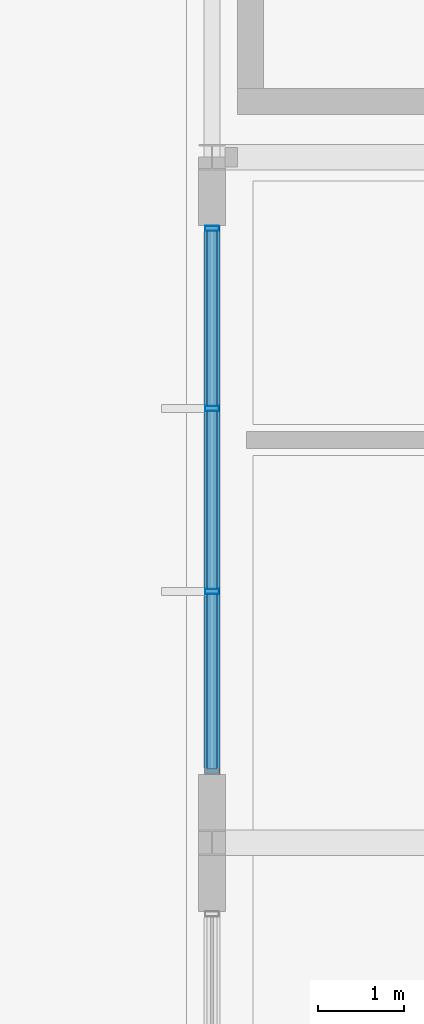
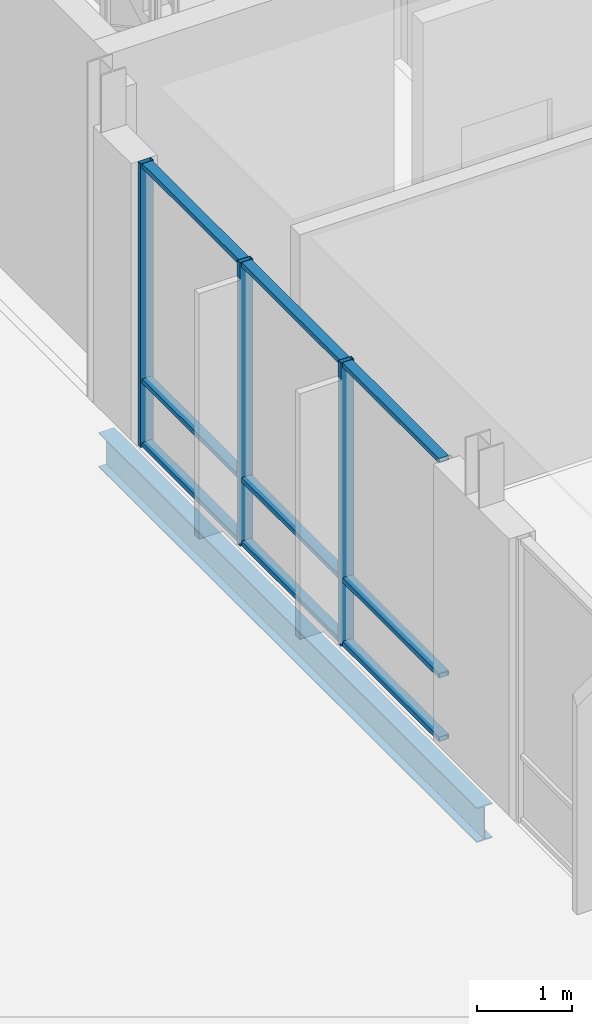
# One storey, part 160 of 233: 12 members, 1 beam, 1 element without a shape of its own.
"""IFC4 building model written with IfcOpenShell, lengths in metres."""

from ifc_helpers import new_model, si_unit, direction, frame, origin, origin_2d, place, context, subcontext, project, spatial, hollow_rectangle, i_section, extrude, material, material_profile, profile_set, type_object, element, aggregate, save


model = new_model("IFC4")

# Units and contexts
model_context = context("Model", 3, precision=1e-05, world=origin(), true_north=direction((0.0, 1.0)))
body_context = subcontext(model_context, "Body", "Model", "MODEL_VIEW")
ifc_project = project(units=[si_unit("LENGTHUNIT", "METRE"), si_unit("AREAUNIT", "SQUARE_METRE"), si_unit("VOLUMEUNIT", "CUBIC_METRE"), si_unit("PLANEANGLEUNIT", "RADIAN"), si_unit("MASSUNIT", "GRAM", prefix="KILO")], contexts=[model_context])

# Site, building, storey
site_placement = place(None, origin())
site = spatial("IfcSite", under=ifc_project, at=site_placement, CompositionType="ELEMENT")
building_placement = place(site_placement, origin())
building = spatial("IfcBuilding", under=site, at=building_placement, Name="Zavelmont Quarter", CompositionType="ELEMENT")
storey_placement = place(building_placement, origin())
storey = spatial("IfcBuildingStorey", under=building, at=storey_placement, Name="L00", CompositionType="ELEMENT", Elevation=0.0)

# Beam
ifc_material_1 = material(Name="Steel S355", Category="steel")
ifc_material_profile_1 = material_profile(ifc_material_1, i_section(OverallWidth=0.18994140625, OverallDepth=0.449951171875, WebThickness=0.009521484375, FlangeThickness=0.0146484375, at=origin_2d()), Name="IPE 450")
ifc_profile_set_1 = profile_set([ifc_material_profile_1], Name="Steel S355")
beam_type = type_object("IfcBeamType", Name="BM12", PredefinedType="BEAM", material=ifc_profile_set_1)
beam_placement = place(storey_placement, frame((133.5, 62.0, -0.544921875), z_axis=(0.0, 1.0, 0.0), x_axis=(-1.0, 0.0, 0.0)))
element("IfcBeam", 1, at=beam_placement, inside=storey, type_object=beam_type, Name="L00 beam BM12 20/K to 20/L", PredefinedType="BEAM", context=body_context, shape_type="SweptSolid", body=[
    extrude(i_section(OverallWidth=0.18994140625, OverallDepth=0.449951171875, WebThickness=0.009521484375, FlangeThickness=0.0146484375, at=origin_2d()), origin(), (0.0, 0.0, 1.0), 8.0),
])

# Curtain wall, members
ifc_material_2 = material(Name="Thermally broken aluminium and double low-E safety glazing", Category="aluminium")
curtain_wall_type = type_object("IfcCurtainWallType", Name="CW-640X366", PredefinedType="NOTDEFINED", material=ifc_material_2)
curtain_wall_placement = place(storey_placement, origin())
curtain_wall = element("IfcCurtainWall", 2, at=curtain_wall_placement, inside=storey, type_object=curtain_wall_type, Name="L00 unitised curtain wall CW-640X366", PredefinedType="NOTDEFINED")
ifc_material_3 = material(Name="Powder-coated aluminium EN AW-6063-T6", Category="aluminium")
ifc_material_profile_2 = material_profile(ifc_material_3, hollow_rectangle(XDim=0.06005859375, YDim=0.159912109375, WallThickness=0.00390625, at=origin_2d()), Name="CWM60X160")
ifc_profile_set_2 = profile_set([ifc_material_profile_2], Name="Powder-coated aluminium EN AW-6063-T6")
member_type_1 = type_object("IfcMemberType", Name="CWM01", PredefinedType="MULLION", material=ifc_profile_set_2)
member_1_placement = place(storey_placement, frame((133.5, 64.933349609375, 0.0), z_axis=(0.0, 0.0, 1.0), x_axis=(0.0, 1.0, 0.0)))
member_1 = element("IfcMember", 3, at=member_1_placement, type_object=member_type_1, Name="CW-640X366 mullion 2", PredefinedType="MULLION", context=body_context, shape_type="SweptSolid", body=[
    extrude(hollow_rectangle(XDim=0.06005859375, YDim=0.159912109375, WallThickness=0.00390625, at=origin_2d()), origin(), (0.0, 0.0, 1.0), 3.659912109375),
])
member_2_placement = place(storey_placement, frame((133.5, 67.066650390625, 0.0), z_axis=(0.0, 0.0, 1.0), x_axis=(0.0, 1.0, 0.0)))
member_2 = element("IfcMember", 4, at=member_2_placement, type_object=member_type_1, Name="CW-640X366 mullion 3", PredefinedType="MULLION", context=body_context, shape_type="SweptSolid", body=[
    extrude(hollow_rectangle(XDim=0.06005859375, YDim=0.159912109375, WallThickness=0.00390625, at=origin_2d()), origin(), (0.0, 0.0, 1.0), 3.659912109375),
])
member_3_placement = place(storey_placement, frame((133.5, 69.169921875, 0.0), z_axis=(0.0, 0.0, 1.0), x_axis=(0.0, 1.0, 0.0)))
member_3 = element("IfcMember", 5, at=member_3_placement, type_object=member_type_1, Name="CW-640X366 mullion 4", PredefinedType="MULLION", context=body_context, shape_type="SweptSolid", body=[
    extrude(hollow_rectangle(XDim=0.06005859375, YDim=0.159912109375, WallThickness=0.00390625, at=origin_2d()), origin(), (0.0, 0.0, 1.0), 3.659912109375),
])
ifc_material_profile_3 = material_profile(ifc_material_3, hollow_rectangle(XDim=0.1201171875, YDim=0.06005859375, WallThickness=0.00390625, at=origin_2d()), Name="CWT60X120")
ifc_profile_set_3 = profile_set([ifc_material_profile_3], Name="Powder-coated aluminium EN AW-6063-T6")
member_type_2 = type_object("IfcMemberType", Name="CWT01", PredefinedType="NOTDEFINED", material=ifc_profile_set_3)
member_4_placement = place(storey_placement, frame((133.5, 62.860107421875, 0.030029296875), z_axis=(0.0, 1.0, 0.0), x_axis=(-1.0, 0.0, 0.0)))
member_4 = element("IfcMember", 6, at=member_4_placement, type_object=member_type_2, Name="CW-640X366 transom 1.1", ObjectType="TRANSOM", PredefinedType="USERDEFINED", context=body_context, shape_type="SweptSolid", body=[
    extrude(hollow_rectangle(XDim=0.1201171875, YDim=0.06005859375, WallThickness=0.00390625, at=origin_2d()), origin(), (0.0, 0.0, 1.0), 2.043212890625),
])
member_5_placement = place(storey_placement, frame((133.5, 62.860107421875, 0.85009765625), z_axis=(0.0, 1.0, 0.0), x_axis=(-1.0, 0.0, 0.0)))
member_5 = element("IfcMember", 7, at=member_5_placement, type_object=member_type_2, Name="CW-640X366 transom 1.2", ObjectType="TRANSOM", PredefinedType="USERDEFINED", context=body_context, shape_type="SweptSolid", body=[
    extrude(hollow_rectangle(XDim=0.1201171875, YDim=0.06005859375, WallThickness=0.00390625, at=origin_2d()), origin(), (0.0, 0.0, 1.0), 2.043212890625),
])
member_6_placement = place(storey_placement, frame((133.5, 62.860107421875, 3.6298828125), z_axis=(0.0, 1.0, 0.0), x_axis=(-1.0, 0.0, 0.0)))
member_6 = element("IfcMember", 8, at=member_6_placement, type_object=member_type_2, Name="CW-640X366 transom 1.3", ObjectType="TRANSOM", PredefinedType="USERDEFINED", context=body_context, shape_type="SweptSolid", body=[
    extrude(hollow_rectangle(XDim=0.1201171875, YDim=0.06005859375, WallThickness=0.00390625, at=origin_2d()), origin(), (0.0, 0.0, 1.0), 2.043212890625),
])
member_7_placement = place(storey_placement, frame((133.5, 64.96337890625, 0.030029296875), z_axis=(0.0, 1.0, 0.0), x_axis=(-1.0, 0.0, 0.0)))
member_7 = element("IfcMember", 9, at=member_7_placement, type_object=member_type_2, Name="CW-640X366 transom 2.1", ObjectType="TRANSOM", PredefinedType="USERDEFINED", context=body_context, shape_type="SweptSolid", body=[
    extrude(hollow_rectangle(XDim=0.1201171875, YDim=0.06005859375, WallThickness=0.00390625, at=origin_2d()), origin(), (0.0, 0.0, 1.0), 2.0732421875),
])
member_8_placement = place(storey_placement, frame((133.5, 64.96337890625, 0.85009765625), z_axis=(0.0, 1.0, 0.0), x_axis=(-1.0, 0.0, 0.0)))
member_8 = element("IfcMember", 10, at=member_8_placement, type_object=member_type_2, Name="CW-640X366 transom 2.2", ObjectType="TRANSOM", PredefinedType="USERDEFINED", context=body_context, shape_type="SweptSolid", body=[
    extrude(hollow_rectangle(XDim=0.1201171875, YDim=0.06005859375, WallThickness=0.00390625, at=origin_2d()), origin(), (0.0, 0.0, 1.0), 2.0732421875),
])
member_9_placement = place(storey_placement, frame((133.5, 64.96337890625, 3.6298828125), z_axis=(0.0, 1.0, 0.0), x_axis=(-1.0, 0.0, 0.0)))
member_9 = element("IfcMember", 11, at=member_9_placement, type_object=member_type_2, Name="CW-640X366 transom 2.3", ObjectType="TRANSOM", PredefinedType="USERDEFINED", context=body_context, shape_type="SweptSolid", body=[
    extrude(hollow_rectangle(XDim=0.1201171875, YDim=0.06005859375, WallThickness=0.00390625, at=origin_2d()), origin(), (0.0, 0.0, 1.0), 2.0732421875),
])
member_10_placement = place(storey_placement, frame((133.5, 67.0966796875, 0.030029296875), z_axis=(0.0, 1.0, 0.0), x_axis=(-1.0, 0.0, 0.0)))
member_10 = element("IfcMember", 12, at=member_10_placement, type_object=member_type_2, Name="CW-640X366 transom 3.1", ObjectType="TRANSOM", PredefinedType="USERDEFINED", context=body_context, shape_type="SweptSolid", body=[
    extrude(hollow_rectangle(XDim=0.1201171875, YDim=0.06005859375, WallThickness=0.00390625, at=origin_2d()), origin(), (0.0, 0.0, 1.0), 2.043212890625),
])
member_11_placement = place(storey_placement, frame((133.5, 67.0966796875, 0.85009765625), z_axis=(0.0, 1.0, 0.0), x_axis=(-1.0, 0.0, 0.0)))
member_11 = element("IfcMember", 13, at=member_11_placement, type_object=member_type_2, Name="CW-640X366 transom 3.2", ObjectType="TRANSOM", PredefinedType="USERDEFINED", context=body_context, shape_type="SweptSolid", body=[
    extrude(hollow_rectangle(XDim=0.1201171875, YDim=0.06005859375, WallThickness=0.00390625, at=origin_2d()), origin(), (0.0, 0.0, 1.0), 2.043212890625),
])
member_12_placement = place(storey_placement, frame((133.5, 67.0966796875, 3.6298828125), z_axis=(0.0, 1.0, 0.0), x_axis=(-1.0, 0.0, 0.0)))
member_12 = element("IfcMember", 14, at=member_12_placement, type_object=member_type_2, Name="CW-640X366 transom 3.3", ObjectType="TRANSOM", PredefinedType="USERDEFINED", context=body_context, shape_type="SweptSolid", body=[
    extrude(hollow_rectangle(XDim=0.1201171875, YDim=0.06005859375, WallThickness=0.00390625, at=origin_2d()), origin(), (0.0, 0.0, 1.0), 2.043212890625),
])
aggregate(curtain_wall, [member_1, member_2, member_3, member_4, member_5, member_6, member_7, member_8, member_9, member_10, member_11, member_12])

save(model, "model.ifc")
